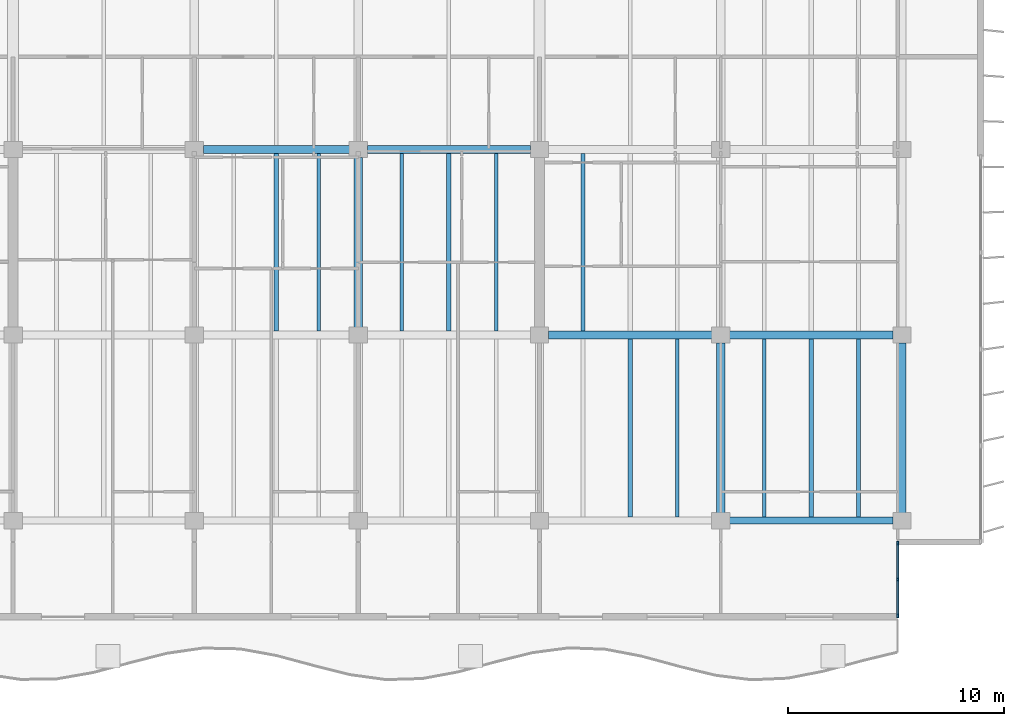
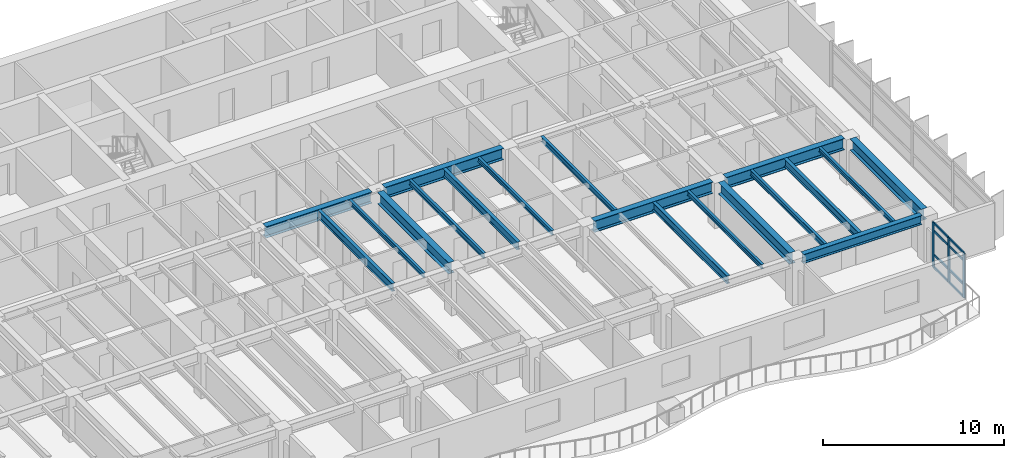
# One storey, part 4 of 19: 19 beams, 11 members, 1 element without a shape of its own.
"""IFC4 building model written with IfcOpenShell, lengths in metres."""

from ifc_helpers import new_model, si_unit, direction, frame, origin, origin_2d, place, context, subcontext, project, spatial, rectangle, i_section, extrude, material, layer, layer_set, material_profile, profile_set, type_object, element, aggregate, save


model = new_model("IFC4")

# Units and contexts
model_context = context("Model", 3, precision=1e-05, world=origin(), true_north=direction((0.0, 1.0)))
body_context = subcontext(model_context, "Body", "Model", "MODEL_VIEW")
ifc_project = project(units=[si_unit("LENGTHUNIT", "METRE"), si_unit("AREAUNIT", "SQUARE_METRE"), si_unit("VOLUMEUNIT", "CUBIC_METRE"), si_unit("PLANEANGLEUNIT", "RADIAN"), si_unit("MASSUNIT", "GRAM", prefix="KILO")], contexts=[model_context])

# Site, building, storey
site_placement = place(None, origin())
site = spatial("IfcSite", under=ifc_project, at=site_placement, CompositionType="ELEMENT")
building_placement = place(site_placement, origin())
building = spatial("IfcBuilding", under=site, at=building_placement, Name="Caelmar Bay Residences", CompositionType="ELEMENT")
storey_placement = place(building_placement, frame((0.0, 0.0, 163.800048828125)))
storey = spatial("IfcBuildingStorey", under=building, at=storey_placement, Name="L45", CompositionType="ELEMENT", Elevation=163.800048828125)

# Beams
ifc_material_1 = material(Name="Steel ASTM A992 Grade 50", Category="steel")
ifc_material_profile_1 = material_profile(ifc_material_1, i_section(OverallWidth=0.381103515625, OverallDepth=0.77197265625, WebThickness=0.0166015625, FlangeThickness=0.027099609375, FilletRadius=0.0166015625, at=origin_2d()), Name="W30X173")
ifc_profile_set_1 = profile_set([ifc_material_profile_1], Name="Steel ASTM A992 Grade 50")
beam_type_1 = type_object("IfcBeamType", Name="BM-GRD-W30X173", PredefinedType="BEAM", material=ifc_profile_set_1)
for number, where, z_axis, x_axis, name in (
    (1, (51.514892578125, 20.800048828125, 2.6640625), (1.0, 0.0, 0.0), (0.0, 1.0, 0.0), "L45 East-West Girder Y=20.80 (51.1-59.5)"),
    (2, (59.9150390625, 20.800048828125, 2.6640625), (1.0, 0.0, 0.0), (0.0, 1.0, 0.0), "L45 East-West Girder Y=20.80 (59.5-67.9)"),
):
    element("IfcBeam", number, at=place(storey_placement, frame(where, z_axis=z_axis, x_axis=x_axis)), inside=storey, type_object=beam_type_1, Name=name, PredefinedType="BEAM", context=body_context, shape_type="SweptSolid", body=[
        extrude(i_section(OverallWidth=0.381103515625, OverallDepth=0.77197265625, WebThickness=0.0166015625, FlangeThickness=0.027099609375, FilletRadius=0.0166015625, at=origin_2d()), origin(), (0.0, 0.0, 1.0), 7.570068359375),
    ])
beam_1_placement = place(storey_placement, frame((35.514892578125, 29.39990234375, 2.6640625), z_axis=(1.0, 0.0, 0.0), x_axis=(0.0, 1.0, 0.0)))
element("IfcBeam", 3, at=beam_1_placement, inside=storey, type_object=beam_type_1, Name="L45 East-West Girder Y=29.40 (35.1-42.7)", PredefinedType="BEAM", context=body_context, shape_type="SweptSolid", body=[
    extrude(i_section(OverallWidth=0.381103515625, OverallDepth=0.77197265625, WebThickness=0.0166015625, FlangeThickness=0.027099609375, FilletRadius=0.0166015625, at=origin_2d()), origin(), (0.0, 0.0, 1.0), 6.77001953125),
])
beam_2_placement = place(storey_placement, frame((43.114990234375, 29.39990234375, 2.6640625), z_axis=(1.0, 0.0, 0.0), x_axis=(0.0, 1.0, 0.0)))
element("IfcBeam", 4, at=beam_2_placement, inside=storey, type_object=beam_type_1, Name="L45 East-West Girder Y=29.40 (42.7-51.1)", PredefinedType="BEAM", context=body_context, shape_type="SweptSolid", body=[
    extrude(i_section(OverallWidth=0.381103515625, OverallDepth=0.77197265625, WebThickness=0.0166015625, FlangeThickness=0.027099609375, FilletRadius=0.0166015625, at=origin_2d()), origin(), (0.0, 0.0, 1.0), 7.570068359375),
])
beam_3_placement = place(storey_placement, frame((42.699951171875, 21.1650390625, 2.6640625), z_axis=(0.0, 1.0, 0.0), x_axis=(-1.0, 0.0, 0.0)))
element("IfcBeam", 5, at=beam_3_placement, inside=storey, type_object=beam_type_1, Name="L45 North-South Girder X=42.70 (20.8-29.4)", PredefinedType="BEAM", context=body_context, shape_type="SweptSolid", body=[
    extrude(i_section(OverallWidth=0.381103515625, OverallDepth=0.77197265625, WebThickness=0.0166015625, FlangeThickness=0.027099609375, FilletRadius=0.0166015625, at=origin_2d()), origin(), (0.0, 0.0, 1.0), 7.869873046875),
])
for number, where, z_axis, x_axis, name in (
    (6, (59.5, 12.56494140625, 2.6640625), (0.0, 1.0, 0.0), (-1.0, 0.0, 0.0), "L45 North-South Girder X=59.50 (12.2-20.8)"),
    (7, (67.89990234375, 12.56494140625, 2.6640625), (0.0, 1.0, 0.0), (-1.0, 0.0, 0.0), "L45 North-South Girder X=67.90 (12.2-20.8)"),
):
    element("IfcBeam", number, at=place(storey_placement, frame(where, z_axis=z_axis, x_axis=x_axis)), inside=storey, type_object=beam_type_1, Name=name, PredefinedType="BEAM", context=body_context, shape_type="SweptSolid", body=[
        extrude(i_section(OverallWidth=0.381103515625, OverallDepth=0.77197265625, WebThickness=0.0166015625, FlangeThickness=0.027099609375, FilletRadius=0.0166015625, at=origin_2d()), origin(), (0.0, 0.0, 1.0), 7.8701171875),
    ])
ifc_material_profile_2 = material_profile(ifc_material_1, i_section(OverallWidth=0.1650390625, OverallDepth=0.31005859375, WebThickness=0.005859375, FlangeThickness=0.009765625, FilletRadius=0.007568359375, at=origin_2d()), Name="W12X26")
ifc_profile_set_2 = profile_set([ifc_material_profile_2], Name="Steel ASTM A992 Grade 50")
beam_type_2 = type_object("IfcBeamType", Name="BM-JST-W12X26", PredefinedType="JOIST", material=ifc_profile_set_2)
for number, where, z_axis, x_axis, name in (
    (8, (57.48388671875, 12.362548828125, 2.89501953125), (0.0, 1.0, 0.0), (-1.0, 0.0, 0.0), "L45 Composite Floor Joist 18"),
    (9, (65.884033203125, 12.362548828125, 2.89501953125), (0.0, 1.0, 0.0), (-1.0, 0.0, 0.0), "L45 Composite Floor Joist 21"),
):
    element("IfcBeam", number, at=place(storey_placement, frame(where, z_axis=z_axis, x_axis=x_axis)), inside=storey, type_object=beam_type_2, Name=name, PredefinedType="JOIST", context=body_context, shape_type="SweptSolid", body=[
        extrude(i_section(OverallWidth=0.1650390625, OverallDepth=0.31005859375, WebThickness=0.005859375, FlangeThickness=0.009765625, FilletRadius=0.007568359375, at=origin_2d()), origin(), (0.0, 0.0, 1.0), 8.2470703125),
    ])
for number, where, z_axis, x_axis, name in (
    (10, (40.8759765625, 20.990478515625, 2.89501953125), (0.0, 1.0, 0.0), (-1.0, 0.0, 0.0), "L45 Composite Floor Joist 33"),
    (11, (49.083984375, 20.990478515625, 2.89501953125), (0.0, 1.0, 0.0), (-1.0, 0.0, 0.0), "L45 Composite Floor Joist 36"),
):
    element("IfcBeam", number, at=place(storey_placement, frame(where, z_axis=z_axis, x_axis=x_axis)), inside=storey, type_object=beam_type_2, Name=name, PredefinedType="JOIST", context=body_context, shape_type="SweptSolid", body=[
        extrude(i_section(OverallWidth=0.1650390625, OverallDepth=0.31005859375, WebThickness=0.005859375, FlangeThickness=0.009765625, FilletRadius=0.007568359375, at=origin_2d()), origin(), (0.0, 0.0, 1.0), 8.218994140625),
    ])
ifc_material_profile_3 = material_profile(ifc_material_1, i_section(OverallWidth=0.1708984375, OverallDepth=0.35595703125, WebThickness=0.007080078125, FlangeThickness=0.01171875, FilletRadius=0.007568359375, at=origin_2d()), Name="W14X34")
ifc_profile_set_3 = profile_set([ifc_material_profile_3], Name="Steel ASTM A992 Grade 50")
beam_type_3 = type_object("IfcBeamType", Name="BM-JST-W14X34", PredefinedType="JOIST", material=ifc_profile_set_3)
beam_4_placement = place(storey_placement, frame((61.51611328125, 12.362548828125, 2.8720703125), z_axis=(0.0, 1.0, 0.0), x_axis=(-1.0, 0.0, 0.0)))
element("IfcBeam", 12, at=beam_4_placement, inside=storey, type_object=beam_type_3, Name="L45 Composite Floor Joist 19", PredefinedType="JOIST", context=body_context, shape_type="SweptSolid", body=[
    extrude(i_section(OverallWidth=0.1708984375, OverallDepth=0.35595703125, WebThickness=0.007080078125, FlangeThickness=0.01171875, FilletRadius=0.007568359375, at=origin_2d()), origin(), (0.0, 0.0, 1.0), 8.2470703125),
])
for number, where, z_axis, x_axis, name in (
    (13, (44.716064453125, 20.990478515625, 2.8720703125), (0.0, 1.0, 0.0), (-1.0, 0.0, 0.0), "L45 Composite Floor Joist 34"),
    (14, (53.115966796875, 20.990478515625, 2.8720703125), (0.0, 1.0, 0.0), (-1.0, 0.0, 0.0), "L45 Composite Floor Joist 37"),
):
    element("IfcBeam", number, at=place(storey_placement, frame(where, z_axis=z_axis, x_axis=x_axis)), inside=storey, type_object=beam_type_3, Name=name, PredefinedType="JOIST", context=body_context, shape_type="SweptSolid", body=[
        extrude(i_section(OverallWidth=0.1708984375, OverallDepth=0.35595703125, WebThickness=0.007080078125, FlangeThickness=0.01171875, FilletRadius=0.007568359375, at=origin_2d()), origin(), (0.0, 0.0, 1.0), 8.218994140625),
    ])
ifc_material_profile_4 = material_profile(ifc_material_1, i_section(OverallWidth=0.2099609375, OverallDepth=0.535888671875, WebThickness=0.010986328125, FlangeThickness=0.017333984375, FilletRadius=0.0126953125, at=origin_2d()), Name="W21X68")
ifc_profile_set_4 = profile_set([ifc_material_profile_4], Name="Steel ASTM A992 Grade 50")
beam_type_4 = type_object("IfcBeamType", Name="BM-JST-W21X68", PredefinedType="JOIST", material=ifc_profile_set_4)
for number, where, z_axis, x_axis, name in (
    (15, (55.300048828125, 12.362548828125, 2.781982421875), (0.0, 1.0, 0.0), (-1.0, 0.0, 0.0), "L45 Composite Floor Joist 17"),
    (16, (63.699951171875, 12.362548828125, 2.781982421875), (0.0, 1.0, 0.0), (-1.0, 0.0, 0.0), "L45 Composite Floor Joist 20"),
):
    element("IfcBeam", number, at=place(storey_placement, frame(where, z_axis=z_axis, x_axis=x_axis)), inside=storey, type_object=beam_type_4, Name=name, PredefinedType="JOIST", context=body_context, shape_type="SweptSolid", body=[
        extrude(i_section(OverallWidth=0.2099609375, OverallDepth=0.535888671875, WebThickness=0.010986328125, FlangeThickness=0.017333984375, FilletRadius=0.0126953125, at=origin_2d()), origin(), (0.0, 0.0, 1.0), 8.2470703125),
    ])
for number, where, z_axis, x_axis, name in (
    (17, (38.89990234375, 20.990478515625, 2.781982421875), (0.0, 1.0, 0.0), (-1.0, 0.0, 0.0), "L45 Composite Floor Joist 32"),
    (18, (46.89990234375, 20.990478515625, 2.781982421875), (0.0, 1.0, 0.0), (-1.0, 0.0, 0.0), "L45 Composite Floor Joist 35"),
):
    element("IfcBeam", number, at=place(storey_placement, frame(where, z_axis=z_axis, x_axis=x_axis)), inside=storey, type_object=beam_type_4, Name=name, PredefinedType="JOIST", context=body_context, shape_type="SweptSolid", body=[
        extrude(i_section(OverallWidth=0.2099609375, OverallDepth=0.535888671875, WebThickness=0.010986328125, FlangeThickness=0.017333984375, FilletRadius=0.0126953125, at=origin_2d()), origin(), (0.0, 0.0, 1.0), 8.218994140625),
    ])
ifc_material_profile_5 = material_profile(ifc_material_1, i_section(OverallWidth=0.324951171875, OverallDepth=0.616943359375, WebThickness=0.013916015625, FlangeThickness=0.021484375, FilletRadius=0.0126953125, at=origin_2d()), Name="W24X117")
ifc_profile_set_5 = profile_set([ifc_material_profile_5], Name="Steel ASTM A992 Grade 50")
beam_type_5 = type_object("IfcBeamType", Name="BM-SPN-W24X117", PredefinedType="SPANDREL", material=ifc_profile_set_5)
beam_5_placement = place(storey_placement, frame((59.9150390625, 12.199951171875, 2.741455078125), z_axis=(1.0, 0.0, 0.0), x_axis=(0.0, 1.0, 0.0)))
element("IfcBeam", 19, at=beam_5_placement, inside=storey, type_object=beam_type_5, Name="L45 East-West Girder Y=12.20 (59.5-67.9)", PredefinedType="SPANDREL", context=body_context, shape_type="SweptSolid", body=[
    extrude(i_section(OverallWidth=0.324951171875, OverallDepth=0.616943359375, WebThickness=0.013916015625, FlangeThickness=0.021484375, FilletRadius=0.0126953125, at=origin_2d()), origin(), (0.0, 0.0, 1.0), 7.570068359375),
])

# Curtain wall, members
ifc_material_2 = material(Name="Anodised bronze aluminium 6063-T6 and laminated glass", Category="aluminium")
ifc_layer = layer(ifc_material_2, 0.179931640625)
ifc_layer_set = layer_set([ifc_layer], Name="Anodised bronze aluminium 6063-T6 and laminated glass")
curtain_wall_type = type_object("IfcCurtainWallType", Name="CW6-NTC", PredefinedType="NOTDEFINED", material=ifc_layer_set)
curtain_wall_placement = place(storey_placement, origin())
curtain_wall = element("IfcCurtainWall", 20, at=curtain_wall_placement, inside=storey, type_object=curtain_wall_type, Name="CW6 curtain wall L45", PredefinedType="NOTDEFINED")
ifc_material_3 = material(Name="Anodised bronze aluminium 6063-T6", Category="aluminium")
ifc_material_profile_6 = material_profile(ifc_material_3, rectangle(XDim=0.080078125, YDim=0.179931640625, at=origin_2d()), Name="CWM-80X180")
ifc_profile_set_6 = profile_set([ifc_material_profile_6], Name="Anodised bronze aluminium 6063-T6")
member_type_1 = type_object("IfcMemberType", Name="CWM-180", PredefinedType="MULLION", material=ifc_profile_set_6)
member_1_placement = place(storey_placement, frame((67.699951171875, 7.7900390625, 0.0), z_axis=(0.0, 0.0, 1.0), x_axis=(-1.0, 0.0, 0.0)))
member_1 = element("IfcMember", 21, at=member_1_placement, type_object=member_type_1, Name="CW6 mullion 1", PredefinedType="MULLION", context=body_context, shape_type="SweptSolid", body=[
    extrude(rectangle(XDim=0.080078125, YDim=0.179931640625, at=origin_2d()), origin(), (0.0, 0.0, 1.0), 3.050048828125),
])
member_2_placement = place(storey_placement, frame((67.699951171875, 9.47509765625, 0.0), z_axis=(0.0, 0.0, 1.0), x_axis=(-1.0, 0.0, 0.0)))
member_2 = element("IfcMember", 22, at=member_2_placement, type_object=member_type_1, Name="CW6 mullion 2", PredefinedType="MULLION", context=body_context, shape_type="SweptSolid", body=[
    extrude(rectangle(XDim=0.080078125, YDim=0.179931640625, at=origin_2d()), origin(), (0.0, 0.0, 1.0), 3.050048828125),
])
member_3_placement = place(storey_placement, frame((67.699951171875, 11.159912109375, 0.0), z_axis=(0.0, 0.0, 1.0), x_axis=(-1.0, 0.0, 0.0)))
member_3 = element("IfcMember", 23, at=member_3_placement, type_object=member_type_1, Name="CW6 mullion 3", PredefinedType="MULLION", context=body_context, shape_type="SweptSolid", body=[
    extrude(rectangle(XDim=0.080078125, YDim=0.179931640625, at=origin_2d()), origin(), (0.0, 0.0, 1.0), 3.050048828125),
])
ifc_material_profile_7 = material_profile(ifc_material_3, rectangle(XDim=0.080078125, YDim=0.139892578125, at=origin_2d()), Name="CWT-80X140")
ifc_profile_set_7 = profile_set([ifc_material_profile_7], Name="Anodised bronze aluminium 6063-T6")
member_type_2 = type_object("IfcMemberType", Name="CWT-140", PredefinedType="NOTDEFINED", material=ifc_profile_set_7)
member_4_placement = place(storey_placement, frame((67.699951171875, 7.830078125, 0.0400390625), z_axis=(0.0, 1.0, 0.0), x_axis=(-1.0, 0.0, 0.0)))
member_4 = element("IfcMember", 24, at=member_4_placement, type_object=member_type_2, Name="CW6 transom 1.1", ObjectType="TRANSOM", PredefinedType="USERDEFINED", context=body_context, shape_type="SweptSolid", body=[
    extrude(rectangle(XDim=0.080078125, YDim=0.139892578125, at=origin_2d()), origin(), (0.0, 0.0, 1.0), 1.60498046875),
])
member_5_placement = place(storey_placement, frame((67.699951171875, 7.830078125, 0.89990234375), z_axis=(0.0, 1.0, 0.0), x_axis=(-1.0, 0.0, 0.0)))
member_5 = element("IfcMember", 25, at=member_5_placement, type_object=member_type_2, Name="CW6 transom 1.2", ObjectType="TRANSOM", PredefinedType="USERDEFINED", context=body_context, shape_type="SweptSolid", body=[
    extrude(rectangle(XDim=0.080078125, YDim=0.139892578125, at=origin_2d()), origin(), (0.0, 0.0, 1.0), 1.60498046875),
])
member_6_placement = place(storey_placement, frame((67.699951171875, 7.830078125, 2.5), z_axis=(0.0, 1.0, 0.0), x_axis=(-1.0, 0.0, 0.0)))
member_6 = element("IfcMember", 26, at=member_6_placement, type_object=member_type_2, Name="CW6 transom 1.3", ObjectType="TRANSOM", PredefinedType="USERDEFINED", context=body_context, shape_type="SweptSolid", body=[
    extrude(rectangle(XDim=0.080078125, YDim=0.139892578125, at=origin_2d()), origin(), (0.0, 0.0, 1.0), 1.60498046875),
])
member_7_placement = place(storey_placement, frame((67.699951171875, 7.830078125, 3.010009765625), z_axis=(0.0, 1.0, 0.0), x_axis=(-1.0, 0.0, 0.0)))
member_7 = element("IfcMember", 27, at=member_7_placement, type_object=member_type_2, Name="CW6 transom 1.4", ObjectType="TRANSOM", PredefinedType="USERDEFINED", context=body_context, shape_type="SweptSolid", body=[
    extrude(rectangle(XDim=0.080078125, YDim=0.139892578125, at=origin_2d()), origin(), (0.0, 0.0, 1.0), 1.60498046875),
])
member_8_placement = place(storey_placement, frame((67.699951171875, 9.514892578125, 0.0400390625), z_axis=(0.0, 1.0, 0.0), x_axis=(-1.0, 0.0, 0.0)))
member_8 = element("IfcMember", 28, at=member_8_placement, type_object=member_type_2, Name="CW6 transom 2.1", ObjectType="TRANSOM", PredefinedType="USERDEFINED", context=body_context, shape_type="SweptSolid", body=[
    extrude(rectangle(XDim=0.080078125, YDim=0.139892578125, at=origin_2d()), origin(), (0.0, 0.0, 1.0), 1.605224609375),
])
member_9_placement = place(storey_placement, frame((67.699951171875, 9.514892578125, 0.89990234375), z_axis=(0.0, 1.0, 0.0), x_axis=(-1.0, 0.0, 0.0)))
member_9 = element("IfcMember", 29, at=member_9_placement, type_object=member_type_2, Name="CW6 transom 2.2", ObjectType="TRANSOM", PredefinedType="USERDEFINED", context=body_context, shape_type="SweptSolid", body=[
    extrude(rectangle(XDim=0.080078125, YDim=0.139892578125, at=origin_2d()), origin(), (0.0, 0.0, 1.0), 1.605224609375),
])
member_10_placement = place(storey_placement, frame((67.699951171875, 9.514892578125, 2.5), z_axis=(0.0, 1.0, 0.0), x_axis=(-1.0, 0.0, 0.0)))
member_10 = element("IfcMember", 30, at=member_10_placement, type_object=member_type_2, Name="CW6 transom 2.3", ObjectType="TRANSOM", PredefinedType="USERDEFINED", context=body_context, shape_type="SweptSolid", body=[
    extrude(rectangle(XDim=0.080078125, YDim=0.139892578125, at=origin_2d()), origin(), (0.0, 0.0, 1.0), 1.605224609375),
])
member_11_placement = place(storey_placement, frame((67.699951171875, 9.514892578125, 3.010009765625), z_axis=(0.0, 1.0, 0.0), x_axis=(-1.0, 0.0, 0.0)))
member_11 = element("IfcMember", 31, at=member_11_placement, type_object=member_type_2, Name="CW6 transom 2.4", ObjectType="TRANSOM", PredefinedType="USERDEFINED", context=body_context, shape_type="SweptSolid", body=[
    extrude(rectangle(XDim=0.080078125, YDim=0.139892578125, at=origin_2d()), origin(), (0.0, 0.0, 1.0), 1.605224609375),
])
aggregate(curtain_wall, [member_1, member_2, member_3, member_4, member_5, member_6, member_7, member_8, member_9, member_10, member_11])

save(model, "model.ifc")
